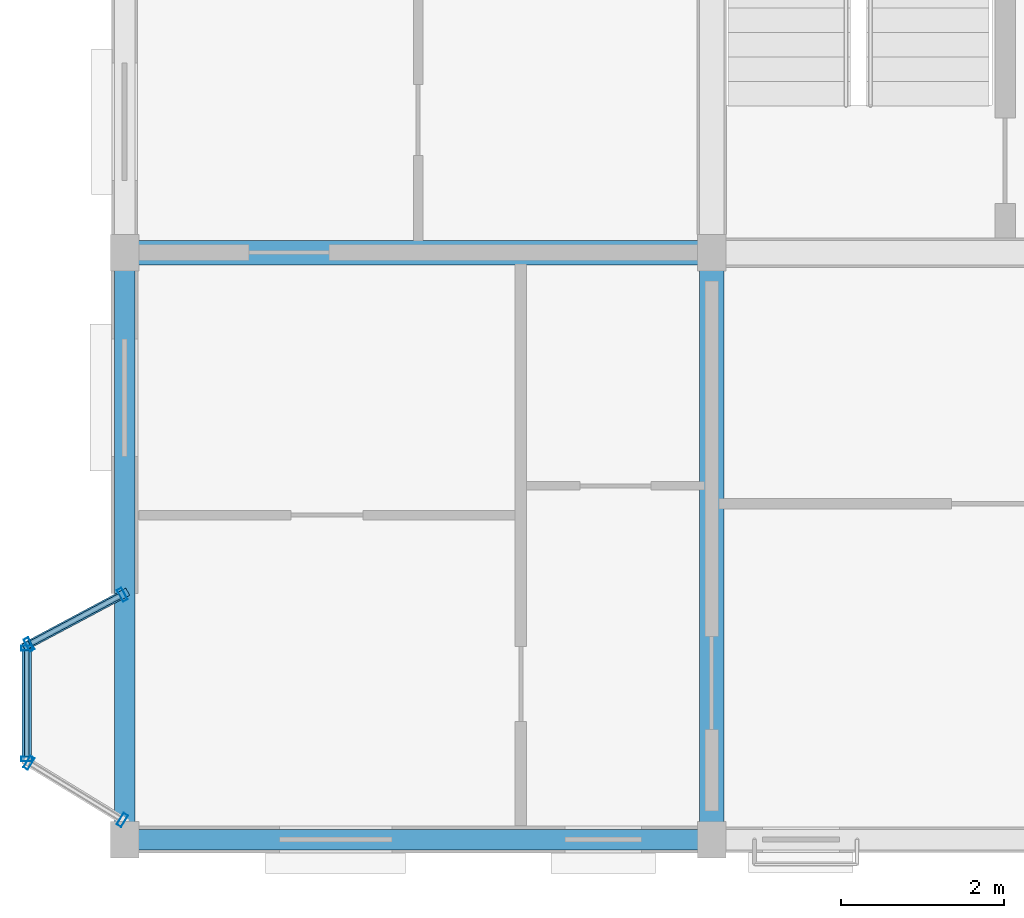
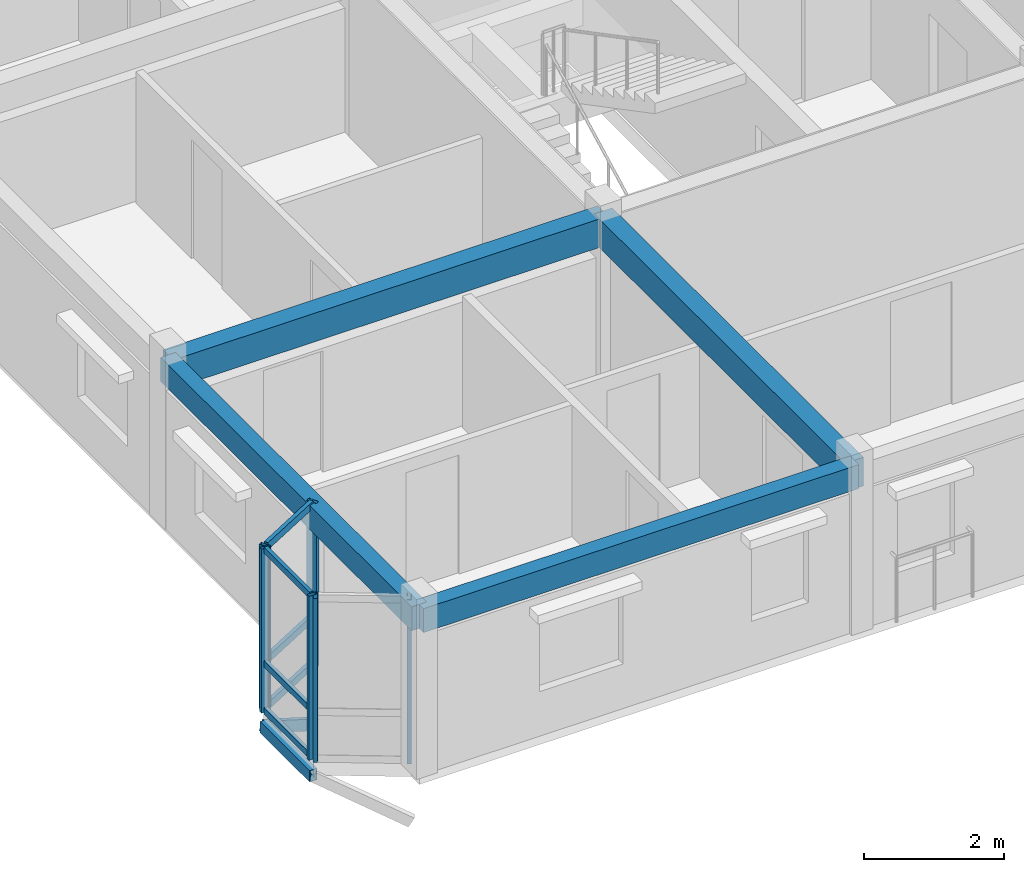
# One storey, part 2 of 22: 14 members, 4 beams, 3 elements without a shape of their own.
"""IFC4 building model written with IfcOpenShell, lengths in metres."""

import ifcopenshell
import ifcopenshell.guid

model = None  # the IFC model being written
_history = None  # IfcOwnerHistory: only IFC2X3 demands one
_inside = {}  # id of a spatial element -> (the spatial element, [elements in it])
_under = {}  # id of a project, library or spatial element -> (it, [spatial elements below it])
_declared = {}  # id of a project -> (the project, [libraries it declares])
_typed = {}  # id of a type object -> (the type object, [elements of that type])
_made_of = {}  # id of a material, layer set ... -> (it, [elements and type objects made of it])


def new_model(schema):
    """Start an empty IFC model of exactly this schema.

    Asked for "IFC4X3", IfcOpenShell would pick the latest addendum, in which some entities
    have other attributes; the version numbers below select the first issue.
    IFC2X3 requires an IfcOwnerHistory on every rooted entity: one is made here for all.
    """
    global model, _history
    if schema == "IFC4X3":
        model = ifcopenshell.file(schema_version=(4, 3, 0, 0))
    else:
        model = ifcopenshell.file(schema=schema)
    _inside.clear()
    _under.clear()
    _declared.clear()
    _typed.clear()
    _made_of.clear()
    _history = None
    if model.schema == "IFC2X3":
        org = make("IfcOrganization", Name="unknown")
        user = make(
            "IfcPersonAndOrganization",
            ThePerson=make("IfcPerson", FamilyName="unknown"),
            TheOrganization=org,
        )
        app = make(
            "IfcApplication",
            ApplicationDeveloper=org,
            Version="unknown",
            ApplicationFullName="unknown",
            ApplicationIdentifier="unknown",
        )
        _history = make(
            "IfcOwnerHistory",
            OwningUser=user,
            OwningApplication=app,
            ChangeAction="ADDED",
            CreationDate=0,
        )
    return model


def make(cls, **values):
    """One entity of the class cls with the attributes given. An attribute that is None is left unset."""
    return model.create_entity(
        cls, **{name: value for name, value in values.items() if value is not None}
    )


def rooted(cls, **values):
    """An entity with a GlobalId (a new one), such as an element, a storey or a relation."""
    return make(cls, GlobalId=ifcopenshell.guid.new(), OwnerHistory=_history, **values)


def si_unit(unit_type, name, prefix=None):
    """IfcSIUnit, for example si_unit("LENGTHUNIT", "METRE", prefix="MILLI")."""
    return make("IfcSIUnit", UnitType=unit_type, Prefix=prefix, Name=name)


def assignment(units):
    """IfcUnitAssignment: the units of a project."""
    return None if units is None else make("IfcUnitAssignment", Units=units)


def point(xyz):
    """IfcCartesianPoint."""
    return None if xyz is None else make("IfcCartesianPoint", Coordinates=xyz)


def direction(xyz):
    """IfcDirection."""
    return None if xyz is None else make("IfcDirection", DirectionRatios=xyz)


def frame(location, z_axis=None, x_axis=None):
    """IfcAxis2Placement3D, a coordinate frame: its origin and axes. An axis left out is left unset."""
    return make(
        "IfcAxis2Placement3D",
        Location=point(location),
        Axis=direction(z_axis),
        RefDirection=direction(x_axis),
    )


def frame_2d(location, x_axis=None):
    """IfcAxis2Placement2D, a coordinate frame in the plane: its origin and x axis."""
    return make(
        "IfcAxis2Placement2D", Location=point(location), RefDirection=direction(x_axis)
    )


def origin():
    """The frame at (0, 0, 0) with its axes left unset."""
    return frame((0.0, 0.0, 0.0))


def origin_2d():
    """The frame at (0, 0) in the plane with its x axis left unset."""
    return frame_2d((0.0, 0.0))


def place(relative_to, where):
    """IfcLocalPlacement: puts the frame where relative to a parent placement (None: the world)."""
    return make(
        "IfcLocalPlacement", PlacementRelTo=relative_to, RelativePlacement=where
    )


def context(
    kind, dimensions, precision=None, world=None, true_north=None, identifier=None
):
    """IfcGeometricRepresentationContext, for example the 3D "Model" context."""
    return make(
        "IfcGeometricRepresentationContext",
        ContextIdentifier=identifier,
        ContextType=kind,
        CoordinateSpaceDimension=dimensions,
        Precision=precision,
        WorldCoordinateSystem=world,
        TrueNorth=true_north,
    )


def subcontext(parent, identifier, kind, view, scale=None):
    """IfcGeometricRepresentationSubContext, for example "Body" below "Model"."""
    return make(
        "IfcGeometricRepresentationSubContext",
        ContextIdentifier=identifier,
        ContextType=kind,
        ParentContext=parent,
        TargetScale=scale,
        TargetView=view,
    )


def project(units=None, contexts=None):
    """IfcProject with its units and contexts."""
    return rooted(
        "IfcProject",
        Name="project",
        RepresentationContexts=contexts,
        UnitsInContext=assignment(units),
    )


def spatial(cls, under=None, at=None, **own):
    """A site, building, storey or space (cls), placed at a placement, below another one or the project."""
    s = rooted(cls, ObjectPlacement=at, **own)
    if under is not None:
        _under.setdefault(under.id(), (under, []))[1].append(s)
    return s


def profile(cls, at=None, kind="AREA", **sizes):
    """A parametric profile (cls). Its sizes go by their IFC names, for example OverallWidth=200.0."""
    return make(cls, ProfileType=kind, Position=at, **sizes)


def rectangle(**sizes):
    """IfcRectangleProfileDef."""
    return profile("IfcRectangleProfileDef", **sizes)


def hollow_rectangle(**sizes):
    """IfcRectangleHollowProfileDef."""
    return profile("IfcRectangleHollowProfileDef", **sizes)


def extrude(swept, where, along, depth):
    """IfcExtrudedAreaSolid: the profile swept, set in the frame where, extruded along a direction by depth."""
    return make(
        "IfcExtrudedAreaSolid",
        SweptArea=swept,
        Position=where,
        ExtrudedDirection=direction(along),
        Depth=depth,
    )


def shape(context_of_items, identifier, shape_type, items):
    """IfcShapeRepresentation: the items that make up one representation, for example the "Body"."""
    return make(
        "IfcShapeRepresentation",
        ContextOfItems=context_of_items,
        RepresentationIdentifier=identifier,
        RepresentationType=shape_type,
        Items=items,
    )


def material(Name=None, Category=None):
    """IfcMaterial."""
    return make("IfcMaterial", Name=Name, Category=Category)


def layer(
    of_material, thickness, ventilated=None, Name=None, Category=None, Priority=None
):
    """IfcMaterialLayer: one layer of a wall or slab, of a material (None: an air gap)."""
    return make(
        "IfcMaterialLayer",
        Material=of_material,
        LayerThickness=thickness,
        IsVentilated=ventilated,
        Name=Name,
        Category=Category,
        Priority=Priority,
    )


def layer_set(layers, Name=None):
    """IfcMaterialLayerSet."""
    return make("IfcMaterialLayerSet", MaterialLayers=layers, LayerSetName=Name)


def material_profile(
    of_material, cross_section, Name=None, Category=None, Priority=None
):
    """IfcMaterialProfile: a cross section and its material."""
    return make(
        "IfcMaterialProfile",
        Name=Name,
        Material=of_material,
        Profile=cross_section,
        Priority=Priority,
        Category=Category,
    )


def profile_set(profiles, Name=None, composite=None):
    """IfcMaterialProfileSet."""
    return make(
        "IfcMaterialProfileSet",
        Name=Name,
        MaterialProfiles=profiles,
        CompositeProfile=composite,
    )


def made_of(thing, what):
    """Note that an element or type object is made of a material, layer set ...; save() writes the relation."""
    if what is not None:
        _made_of.setdefault(what.id(), (what, []))[1].append(thing)
    return thing


def type_object(cls, material=None, **own):
    """A type object (cls), such as IfcWallType, which elements share."""
    return made_of(rooted(cls, **own), material)


def element(
    cls,
    number,
    at=None,
    inside=None,
    cuts=None,
    type_object=None,
    material=None,
    context=None,
    identifier="Body",
    shape_type=None,
    held_by="IfcProductDefinitionShape",
    body=None,
    shapes=None,
    **own,
):
    """One element of the class cls, such as IfcWall. Its Tag is "e" and its number.

    at: its placement. inside: the storey or other place that contains it. cuts: it is an
    opening in that element (IfcRelVoidsElement). A single representation is given by context,
    identifier, shape_type and body (its items); several are given by shapes. held_by: the class
    of the entity that holds the representations. save() writes the other relations.
    """
    e = rooted(cls, Tag="e%d" % number, ObjectPlacement=at, **own)
    if body is not None:
        shapes = [shape(context, identifier, shape_type, body)]
    if shapes is not None:
        e.Representation = make(held_by, Representations=shapes)
    if inside is not None:
        _inside.setdefault(inside.id(), (inside, []))[1].append(e)
    if cuts is not None:
        rooted(
            "IfcRelVoidsElement", RelatingBuildingElement=cuts, RelatedOpeningElement=e
        )
    if type_object is not None:
        _typed.setdefault(type_object.id(), (type_object, []))[1].append(e)
    return made_of(e, material)


def aggregate(whole, parts):
    """IfcRelAggregates: a whole, such as a stair, and the parts it consists of."""
    return rooted("IfcRelAggregates", RelatingObject=whole, RelatedObjects=parts)


def save(model, path):
    """Write the relations noted so far, then the file.

    IfcRelAggregates (storeys below a building ...), IfcRelContainedInSpatialStructure (elements
    in a storey), IfcRelDefinesByType, IfcRelAssociatesMaterial and IfcRelDeclares: one each for
    every whole, place, type object, material and project.
    """
    for whole, parts in _under.values():
        aggregate(whole, parts)
    for where, things in _inside.values():
        rooted(
            "IfcRelContainedInSpatialStructure",
            RelatedElements=things,
            RelatingStructure=where,
        )
    for kind, things in _typed.values():
        rooted("IfcRelDefinesByType", RelatedObjects=things, RelatingType=kind)
    for what, things in _made_of.values():
        rooted("IfcRelAssociatesMaterial", RelatedObjects=things, RelatingMaterial=what)
    for by, libraries in _declared.values():
        rooted("IfcRelDeclares", RelatingContext=by, RelatedDefinitions=libraries)
    model.write(path)


model = new_model("IFC4")

# Units and contexts
model_context = context("Model", 3, precision=1e-05, world=origin(), true_north=direction((0.0, 1.0)))
body_context = subcontext(model_context, "Body", "Model", "MODEL_VIEW")
ifc_project = project(units=[si_unit("LENGTHUNIT", "METRE"), si_unit("AREAUNIT", "SQUARE_METRE"), si_unit("VOLUMEUNIT", "CUBIC_METRE"), si_unit("PLANEANGLEUNIT", "RADIAN"), si_unit("MASSUNIT", "GRAM", prefix="KILO"), si_unit("THERMODYNAMICTEMPERATUREUNIT", "KELVIN"), si_unit("POWERUNIT", "WATT")], contexts=[model_context])

# Site, building, storey
site_placement = place(None, origin())
site = spatial("IfcSite", under=ifc_project, at=site_placement, CompositionType="ELEMENT")
building_placement = place(site_placement, origin())
building = spatial("IfcBuilding", under=site, at=building_placement, Name="Tavuni Mirador Residences", CompositionType="ELEMENT")
storey_placement = place(building_placement, frame((0.0, 0.0, 45.449951171875)))
storey = spatial("IfcBuildingStorey", under=building, at=storey_placement, Name="L14", CompositionType="ELEMENT", Elevation=45.449951171875)

# Beams
ifc_material_1 = material(Name="Precast concrete C40/50", Category="concrete")
ifc_material_profile_1 = material_profile(ifc_material_1, rectangle(XDim=0.300048828125, YDim=0.5, at=origin_2d()), Name="PC 300x500", Category="concrete")
ifc_profile_set_1 = profile_set([ifc_material_profile_1], Name="Precast concrete C40/50")
beam_type_1 = type_object("IfcBeamType", Name="BT-B500", PredefinedType="BEAM", material=ifc_profile_set_1)
for number, where, z_axis, x_axis, name in (
    (1, (3.60009765625, 14.39990234375, 2.6201171875), (1.0, 0.0, 0.0), (0.0, 1.0, 0.0), "BMX-BLK-A-L14-00-01"),
    (2, (10.800048828125, 7.199951171875, 2.6201171875), (0.0, 1.0, 0.0), (-1.0, 0.0, 0.0), "BMY-BLK-A-L14-01-00"),
):
    element("IfcBeam", number, at=place(storey_placement, frame(where, z_axis=z_axis, x_axis=x_axis)), inside=storey, type_object=beam_type_1, Name=name, PredefinedType="BEAM", context=body_context, shape_type="SweptSolid", body=[
        extrude(rectangle(XDim=0.300048828125, YDim=0.5, at=origin_2d()), origin(), (0.0, 0.0, 1.0), 7.199951171875),
    ])
ifc_material_profile_2 = material_profile(ifc_material_1, rectangle(XDim=0.25, YDim=0.419921875, at=origin_2d()), Name="PC 250x420", Category="concrete")
ifc_profile_set_2 = profile_set([ifc_material_profile_2], Name="Precast concrete C40/50")
beam_type_2 = type_object("IfcBeamType", Name="BT-SP420", PredefinedType="SPANDREL", material=ifc_profile_set_2)
for number, where, z_axis, x_axis, name in (
    (3, (3.60009765625, 7.199951171875, 2.66015625), (1.0, 0.0, 0.0), (0.0, 1.0, 0.0), "BMX-BLK-A-L14-00-00"),
    (4, (3.60009765625, 7.199951171875, 2.66015625), (0.0, 1.0, 0.0), (-1.0, 0.0, 0.0), "BMY-BLK-A-L14-00-00"),
):
    element("IfcBeam", number, at=place(storey_placement, frame(where, z_axis=z_axis, x_axis=x_axis)), inside=storey, type_object=beam_type_2, Name=name, PredefinedType="SPANDREL", context=body_context, shape_type="SweptSolid", body=[
        extrude(rectangle(XDim=0.25, YDim=0.419921875, at=origin_2d()), origin(), (0.0, 0.0, 1.0), 7.199951171875),
    ])

# Curtain wall, members
ifc_material_2 = material(Name="Anodised aluminium", Category="aluminium")
ifc_layer_1 = layer(ifc_material_2, 0.175048828125, Name="Anodised aluminium", Category="aluminium")
ifc_layer_set_1 = layer_set([ifc_layer_1], Name="Anodised aluminium")
curtain_wall_type_1 = type_object("IfcCurtainWallType", Name="CWT-MIR-C", PredefinedType="NOTDEFINED", material=ifc_layer_set_1)
curtain_wall_1_placement = place(storey_placement, origin())
curtain_wall_1 = element("IfcCurtainWall", 5, at=curtain_wall_1_placement, inside=storey, type_object=curtain_wall_type_1, Name="CW-MIR-A-W1-L14-MF", PredefinedType="NOTDEFINED")
ifc_material_profile_3 = material_profile(ifc_material_2, hollow_rectangle(XDim=0.06005859375, YDim=0.139892578125, WallThickness=0.00390625, at=origin_2d()), Name="ALU 60x140x4.0", Category="aluminium")
ifc_profile_set_3 = profile_set([ifc_material_profile_3], Name="Anodised aluminium")
member_type_1 = type_object("IfcMemberType", Name="CWM-140", PredefinedType="MULLION", material=ifc_profile_set_3)
member_1_placement = place(storey_placement, frame((2.39990234375, 9.550048828125, 0.0), z_axis=(0.0, 0.0, 1.0), x_axis=(0.0, -1.0, 0.0)))
member_1 = element("IfcMember", 6, at=member_1_placement, type_object=member_type_1, Name="CW-03 mullion 1", PredefinedType="MULLION", context=body_context, shape_type="SweptSolid", body=[
    extrude(hollow_rectangle(XDim=0.06005859375, YDim=0.139892578125, WallThickness=0.00390625, at=origin_2d()), origin(), (0.0, 0.0, 1.0), 2.8701171875),
])
member_2_placement = place(storey_placement, frame((2.39990234375, 8.18994140625, 0.0), z_axis=(0.0, 0.0, 1.0), x_axis=(0.0, -1.0, 0.0)))
member_2 = element("IfcMember", 7, at=member_2_placement, type_object=member_type_1, Name="CW-03 mullion 2", PredefinedType="MULLION", context=body_context, shape_type="SweptSolid", body=[
    extrude(hollow_rectangle(XDim=0.06005859375, YDim=0.139892578125, WallThickness=0.00390625, at=origin_2d()), origin(), (0.0, 0.0, 1.0), 2.8701171875),
])

ifc_layer_2 = layer(ifc_material_2, 0.14990234375, Name="Anodised aluminium", Category="aluminium")
ifc_layer_set_2 = layer_set([ifc_layer_2], Name="Anodised aluminium")
curtain_wall_type_2 = type_object("IfcCurtainWallType", Name="CWT-MIR-B", PredefinedType="NOTDEFINED", material=ifc_layer_set_2)
curtain_wall_2_placement = place(storey_placement, origin())
curtain_wall_2 = element("IfcCurtainWall", 8, at=curtain_wall_2_placement, inside=storey, type_object=curtain_wall_type_2, Name="CW-MIR-A-W1-L14-M1", PredefinedType="NOTDEFINED")
ifc_material_profile_4 = material_profile(ifc_material_2, hollow_rectangle(XDim=0.06494140625, YDim=0.1650390625, WallThickness=0.00439453125, at=origin_2d()), Name="ALU 65x165x4.5", Category="aluminium")
ifc_profile_set_4 = profile_set([ifc_material_profile_4], Name="Anodised aluminium")
member_type_2 = type_object("IfcMemberType", Name="CWM-165", PredefinedType="MULLION", material=ifc_profile_set_4)
member_3_placement = place(storey_placement, frame((3.5712890625, 10.20458984375, 0.0), z_axis=(0.0, 0.0, 1.0), x_axis=(-0.882352941175, -0.470588235296, 0.0)))
member_3 = element("IfcMember", 9, at=member_3_placement, type_object=member_type_2, Name="CW-02 mullion 1", PredefinedType="MULLION", context=body_context, shape_type="SweptSolid", body=[
    extrude(hollow_rectangle(XDim=0.06494140625, YDim=0.1650390625, WallThickness=0.00439453125, at=origin_2d()), origin(), (0.0, 0.0, 1.0), 2.8701171875),
])
member_4_placement = place(storey_placement, frame((2.4287109375, 9.59521484375, 0.0), z_axis=(0.0, 0.0, 1.0), x_axis=(-0.882352941175, -0.470588235296, 0.0)))
member_4 = element("IfcMember", 10, at=member_4_placement, type_object=member_type_2, Name="CW-02 mullion 2", PredefinedType="MULLION", context=body_context, shape_type="SweptSolid", body=[
    extrude(hollow_rectangle(XDim=0.06494140625, YDim=0.1650390625, WallThickness=0.00439453125, at=origin_2d()), origin(), (0.0, 0.0, 1.0), 2.8701171875),
])

ifc_layer_3 = layer(ifc_material_2, 0.159912109375, Name="Anodised aluminium", Category="aluminium")
ifc_layer_set_3 = layer_set([ifc_layer_3], Name="Anodised aluminium")
curtain_wall_type_3 = type_object("IfcCurtainWallType", Name="CWT-MIR-D", PredefinedType="NOTDEFINED", material=ifc_layer_set_3)
curtain_wall_3_placement = place(storey_placement, origin())
curtain_wall_3 = element("IfcCurtainWall", 11, at=curtain_wall_3_placement, inside=storey, type_object=curtain_wall_type_3, Name="CW-MIR-A-W1-L14-M2", PredefinedType="NOTDEFINED")
member_5_placement = place(storey_placement, frame((2.427734375, 8.14306640625, 0.0), z_axis=(0.0, 0.0, 1.0), x_axis=(0.852754414845, -0.522312079088, 0.0)))
member_5 = element("IfcMember", 12, at=member_5_placement, type_object=member_type_2, Name="CW-04 mullion 1", PredefinedType="MULLION", context=body_context, shape_type="SweptSolid", body=[
    extrude(hollow_rectangle(XDim=0.06494140625, YDim=0.1650390625, WallThickness=0.00439453125, at=origin_2d()), origin(), (0.0, 0.0, 1.0), 2.8701171875),
])
member_6_placement = place(storey_placement, frame((3.572265625, 7.44189453125, 0.0), z_axis=(0.0, 0.0, 1.0), x_axis=(0.852754414845, -0.522312079088, 0.0)))
member_6 = element("IfcMember", 13, at=member_6_placement, type_object=member_type_2, Name="CW-04 mullion 2", PredefinedType="MULLION", context=body_context, shape_type="SweptSolid", body=[
    extrude(hollow_rectangle(XDim=0.06494140625, YDim=0.1650390625, WallThickness=0.00439453125, at=origin_2d()), origin(), (0.0, 0.0, 1.0), 2.8701171875),
])
aggregate(curtain_wall_3, [member_5, member_6])

# Member
ifc_material_profile_5 = material_profile(ifc_material_2, hollow_rectangle(XDim=0.06005859375, YDim=0.110107421875, WallThickness=0.00390625, at=origin_2d()), Name="ALU 60x110x4.0", Category="aluminium")
ifc_profile_set_5 = profile_set([ifc_material_profile_5], Name="Anodised aluminium")
member_type_3 = type_object("IfcMemberType", Name="CWT-110", PredefinedType="USERDEFINED", material=ifc_profile_set_5)
member_7_placement = place(storey_placement, frame((2.39990234375, 9.52001953125, 0.030029296875), z_axis=(0.0, -1.0, 0.0), x_axis=(1.0, 0.0, 0.0)))
member_7 = element("IfcMember", 14, at=member_7_placement, type_object=member_type_3, Name="CW-03 transom 1.1", ObjectType="TRANSOM", PredefinedType="USERDEFINED", context=body_context, shape_type="SweptSolid", body=[
    extrude(hollow_rectangle(XDim=0.06005859375, YDim=0.110107421875, WallThickness=0.00390625, at=origin_2d()), origin(), (0.0, 0.0, 1.0), 1.300048828125),
])

member_8_placement = place(storey_placement, frame((2.39990234375, 9.52001953125, 0.85009765625), z_axis=(0.0, -1.0, 0.0), x_axis=(1.0, 0.0, 0.0)))
member_8 = element("IfcMember", 15, at=member_8_placement, type_object=member_type_3, Name="CW-03 transom 1.2", ObjectType="TRANSOM", PredefinedType="USERDEFINED", context=body_context, shape_type="SweptSolid", body=[
    extrude(hollow_rectangle(XDim=0.06005859375, YDim=0.110107421875, WallThickness=0.00390625, at=origin_2d()), origin(), (0.0, 0.0, 1.0), 1.300048828125),
])

member_9_placement = place(storey_placement, frame((2.39990234375, 9.52001953125, 2.840087890625), z_axis=(0.0, -1.0, 0.0), x_axis=(1.0, 0.0, 0.0)))
member_9 = element("IfcMember", 16, at=member_9_placement, type_object=member_type_3, Name="CW-03 transom 1.3", ObjectType="TRANSOM", PredefinedType="USERDEFINED", context=body_context, shape_type="SweptSolid", body=[
    extrude(hollow_rectangle(XDim=0.06005859375, YDim=0.110107421875, WallThickness=0.00390625, at=origin_2d()), origin(), (0.0, 0.0, 1.0), 1.300048828125),
])

aggregate(curtain_wall_1, [member_1, member_2, member_7, member_8, member_9])

ifc_material_profile_6 = material_profile(ifc_material_2, hollow_rectangle(XDim=0.06494140625, YDim=0.125, WallThickness=0.00439453125, at=origin_2d()), Name="ALU 65x125x4.5", Category="aluminium")
ifc_profile_set_6 = profile_set([ifc_material_profile_6], Name="Anodised aluminium")
member_type_4 = type_object("IfcMemberType", Name="CWT-125", PredefinedType="USERDEFINED", material=ifc_profile_set_6)
member_10_placement = place(storey_placement, frame((3.542724609375, 10.189453125, 0.032470703125), z_axis=(-0.882369422046, -0.47055733236, 0.0), x_axis=(0.47055733236, -0.882369422046, 0.0)))
member_10 = element("IfcMember", 17, at=member_10_placement, type_object=member_type_4, Name="CW-02 transom 1.1", ObjectType="TRANSOM", PredefinedType="USERDEFINED", context=body_context, shape_type="SweptSolid", body=[
    extrude(hollow_rectangle(XDim=0.06494140625, YDim=0.125, WallThickness=0.00439453125, at=origin_2d()), origin(), (0.0, 0.0, 1.0), 1.230224609375),
])

member_11_placement = place(storey_placement, frame((3.542724609375, 10.189453125, 0.85009765625), z_axis=(-0.882369422046, -0.47055733236, 0.0), x_axis=(0.47055733236, -0.882369422046, 0.0)))
member_11 = element("IfcMember", 18, at=member_11_placement, type_object=member_type_4, Name="CW-02 transom 1.2", ObjectType="TRANSOM", PredefinedType="USERDEFINED", context=body_context, shape_type="SweptSolid", body=[
    extrude(hollow_rectangle(XDim=0.06494140625, YDim=0.125, WallThickness=0.00439453125, at=origin_2d()), origin(), (0.0, 0.0, 1.0), 1.230224609375),
])

member_12_placement = place(storey_placement, frame((3.542724609375, 10.189453125, 2.837646484375), z_axis=(-0.882369422046, -0.47055733236, 0.0), x_axis=(0.47055733236, -0.882369422046, 0.0)))
member_12 = element("IfcMember", 19, at=member_12_placement, type_object=member_type_4, Name="CW-02 transom 1.3", ObjectType="TRANSOM", PredefinedType="USERDEFINED", context=body_context, shape_type="SweptSolid", body=[
    extrude(hollow_rectangle(XDim=0.06494140625, YDim=0.125, WallThickness=0.00439453125, at=origin_2d()), origin(), (0.0, 0.0, 1.0), 1.230224609375),
])

aggregate(curtain_wall_2, [member_3, member_4, member_10, member_11, member_12])

# Members
ifc_material_3 = material(Name="Structural steel S355", Category="steel")
ifc_material_profile_7 = material_profile(ifc_material_3, hollow_rectangle(XDim=0.10009765625, YDim=0.179931640625, WallThickness=0.008056640625, at=origin_2d()), Name="RHS 180x100x8.0", Category="steel")
ifc_profile_set_7 = profile_set([ifc_material_profile_7], Name="Structural steel S355")
member_type_5 = type_object("IfcMemberType", Name="MT-BR-RHS180", PredefinedType="BRACE", material=ifc_profile_set_7)
member_13_placement = place(storey_placement, frame((3.60009765625, 10.219970703125, -1.050048828125), z_axis=(-0.767896193149, -0.409409260017, 0.492665702439), x_axis=(0.470467115558, -0.882417527692, 0.0)))
element("IfcMember", 20, at=member_13_placement, inside=storey, type_object=member_type_5, Name="MBRK-MIR-A-W1-L14-2", PredefinedType="BRACE", context=body_context, shape_type="SweptSolid", body=[
    extrude(hollow_rectangle(XDim=0.10009765625, YDim=0.179931640625, WallThickness=0.008056640625, at=origin_2d()), origin(), (0.0, 0.0, 1.0), 1.56298828125),
])
ifc_material_profile_8 = material_profile(ifc_material_3, hollow_rectangle(XDim=0.1201171875, YDim=0.199951171875, WallThickness=0.010009765625, at=origin_2d()), Name="RHS 200x120x10.0", Category="steel")
ifc_profile_set_8 = profile_set([ifc_material_profile_8], Name="Structural steel S355")
member_type_6 = type_object("IfcMemberType", Name="MT-ST-RHS200", PredefinedType="STRUT", material=ifc_profile_set_8)
member_14_placement = place(storey_placement, frame((2.39990234375, 8.159912109375, -0.280029296875), z_axis=(0.0, 1.0, 0.0), x_axis=(-1.0, 0.0, 0.0)))
element("IfcMember", 21, at=member_14_placement, inside=storey, type_object=member_type_6, Name="MRIM-MIR-A-W1-L14", PredefinedType="STRUT", context=body_context, shape_type="SweptSolid", body=[
    extrude(hollow_rectangle(XDim=0.1201171875, YDim=0.199951171875, WallThickness=0.010009765625, at=origin_2d()), origin(), (0.0, 0.0, 1.0), 1.420166015625),
])

save(model, "model.ifc")
